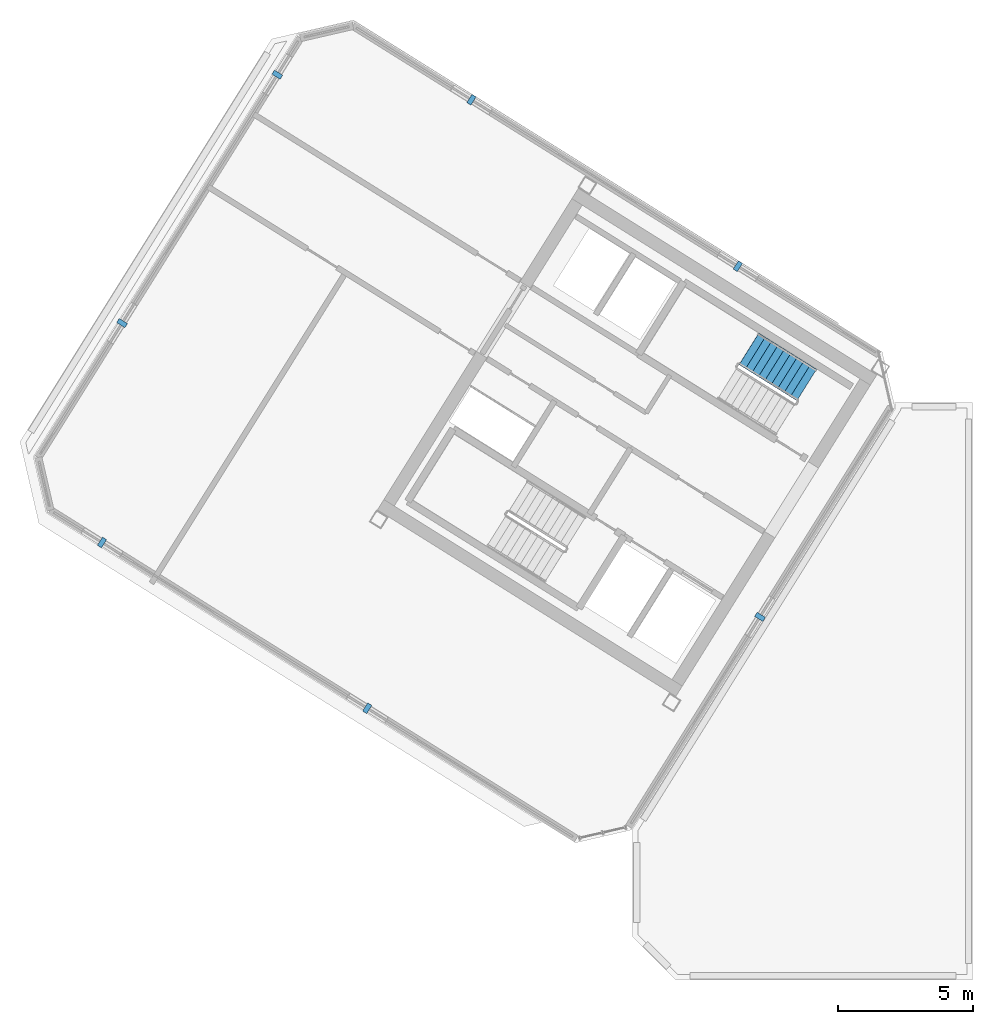
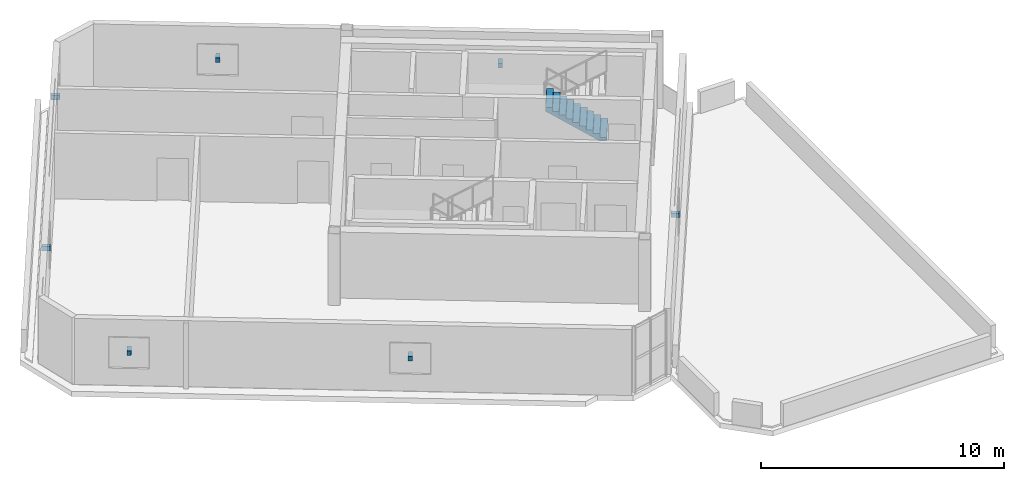
# One storey, part 5 of 8: 7 discrete accessories, 1 stair flight, 1 element without a shape of its own.
"""IFC4 building model written with IfcOpenShell, lengths in metres."""

import ifcopenshell
import ifcopenshell.guid

model = None  # the IFC model being written
_history = None  # IfcOwnerHistory: only IFC2X3 demands one
_inside = {}  # id of a spatial element -> (the spatial element, [elements in it])
_under = {}  # id of a project, library or spatial element -> (it, [spatial elements below it])
_declared = {}  # id of a project -> (the project, [libraries it declares])
_typed = {}  # id of a type object -> (the type object, [elements of that type])
_made_of = {}  # id of a material, layer set ... -> (it, [elements and type objects made of it])


def new_model(schema):
    """Start an empty IFC model of exactly this schema.

    Asked for "IFC4X3", IfcOpenShell would pick the latest addendum, in which some entities
    have other attributes; the version numbers below select the first issue.
    IFC2X3 requires an IfcOwnerHistory on every rooted entity: one is made here for all.
    """
    global model, _history
    if schema == "IFC4X3":
        model = ifcopenshell.file(schema_version=(4, 3, 0, 0))
    else:
        model = ifcopenshell.file(schema=schema)
    _inside.clear()
    _under.clear()
    _declared.clear()
    _typed.clear()
    _made_of.clear()
    _history = None
    if model.schema == "IFC2X3":
        org = make("IfcOrganization", Name="unknown")
        user = make(
            "IfcPersonAndOrganization",
            ThePerson=make("IfcPerson", FamilyName="unknown"),
            TheOrganization=org,
        )
        app = make(
            "IfcApplication",
            ApplicationDeveloper=org,
            Version="unknown",
            ApplicationFullName="unknown",
            ApplicationIdentifier="unknown",
        )
        _history = make(
            "IfcOwnerHistory",
            OwningUser=user,
            OwningApplication=app,
            ChangeAction="ADDED",
            CreationDate=0,
        )
    return model


def make(cls, **values):
    """One entity of the class cls with the attributes given. An attribute that is None is left unset."""
    return model.create_entity(
        cls, **{name: value for name, value in values.items() if value is not None}
    )


def rooted(cls, **values):
    """An entity with a GlobalId (a new one), such as an element, a storey or a relation."""
    return make(cls, GlobalId=ifcopenshell.guid.new(), OwnerHistory=_history, **values)


def si_unit(unit_type, name, prefix=None):
    """IfcSIUnit, for example si_unit("LENGTHUNIT", "METRE", prefix="MILLI")."""
    return make("IfcSIUnit", UnitType=unit_type, Prefix=prefix, Name=name)


def assignment(units):
    """IfcUnitAssignment: the units of a project."""
    return None if units is None else make("IfcUnitAssignment", Units=units)


def point(xyz):
    """IfcCartesianPoint."""
    return None if xyz is None else make("IfcCartesianPoint", Coordinates=xyz)


def direction(xyz):
    """IfcDirection."""
    return None if xyz is None else make("IfcDirection", DirectionRatios=xyz)


def frame(location, z_axis=None, x_axis=None):
    """IfcAxis2Placement3D, a coordinate frame: its origin and axes. An axis left out is left unset."""
    return make(
        "IfcAxis2Placement3D",
        Location=point(location),
        Axis=direction(z_axis),
        RefDirection=direction(x_axis),
    )


def frame_2d(location, x_axis=None):
    """IfcAxis2Placement2D, a coordinate frame in the plane: its origin and x axis."""
    return make(
        "IfcAxis2Placement2D", Location=point(location), RefDirection=direction(x_axis)
    )


def origin():
    """The frame at (0, 0, 0) with its axes left unset."""
    return frame((0.0, 0.0, 0.0))


def origin_2d():
    """The frame at (0, 0) in the plane with its x axis left unset."""
    return frame_2d((0.0, 0.0))


def place(relative_to, where):
    """IfcLocalPlacement: puts the frame where relative to a parent placement (None: the world)."""
    return make(
        "IfcLocalPlacement", PlacementRelTo=relative_to, RelativePlacement=where
    )


def context(
    kind, dimensions, precision=None, world=None, true_north=None, identifier=None
):
    """IfcGeometricRepresentationContext, for example the 3D "Model" context."""
    return make(
        "IfcGeometricRepresentationContext",
        ContextIdentifier=identifier,
        ContextType=kind,
        CoordinateSpaceDimension=dimensions,
        Precision=precision,
        WorldCoordinateSystem=world,
        TrueNorth=true_north,
    )


def subcontext(parent, identifier, kind, view, scale=None):
    """IfcGeometricRepresentationSubContext, for example "Body" below "Model"."""
    return make(
        "IfcGeometricRepresentationSubContext",
        ContextIdentifier=identifier,
        ContextType=kind,
        ParentContext=parent,
        TargetScale=scale,
        TargetView=view,
    )


def project(units=None, contexts=None):
    """IfcProject with its units and contexts."""
    return rooted(
        "IfcProject",
        Name="project",
        RepresentationContexts=contexts,
        UnitsInContext=assignment(units),
    )


def spatial(cls, under=None, at=None, **own):
    """A site, building, storey or space (cls), placed at a placement, below another one or the project."""
    s = rooted(cls, ObjectPlacement=at, **own)
    if under is not None:
        _under.setdefault(under.id(), (under, []))[1].append(s)
    return s


def polyline(points):
    """IfcPolyline through the points."""
    return make("IfcPolyline", Points=[point(p) for p in points])


def profile(cls, at=None, kind="AREA", **sizes):
    """A parametric profile (cls). Its sizes go by their IFC names, for example OverallWidth=200.0."""
    return make(cls, ProfileType=kind, Position=at, **sizes)


def rectangle(**sizes):
    """IfcRectangleProfileDef."""
    return profile("IfcRectangleProfileDef", **sizes)


def outline(outer, holes=None, kind="AREA"):
    """IfcArbitraryClosedProfileDef: a profile drawn as a closed curve; with holes, ...WithVoids."""
    if holes is None:
        return make("IfcArbitraryClosedProfileDef", ProfileType=kind, OuterCurve=outer)
    return make(
        "IfcArbitraryProfileDefWithVoids",
        ProfileType=kind,
        OuterCurve=outer,
        InnerCurves=holes,
    )


def extrude(swept, where, along, depth):
    """IfcExtrudedAreaSolid: the profile swept, set in the frame where, extruded along a direction by depth."""
    return make(
        "IfcExtrudedAreaSolid",
        SweptArea=swept,
        Position=where,
        ExtrudedDirection=direction(along),
        Depth=depth,
    )


def shape(context_of_items, identifier, shape_type, items):
    """IfcShapeRepresentation: the items that make up one representation, for example the "Body"."""
    return make(
        "IfcShapeRepresentation",
        ContextOfItems=context_of_items,
        RepresentationIdentifier=identifier,
        RepresentationType=shape_type,
        Items=items,
    )


def source(mapping_origin, context_of_items, identifier, shape_type, items):
    """IfcRepresentationMap: a shape defined once, which mapped items show again and again."""
    return make(
        "IfcRepresentationMap",
        MappingOrigin=mapping_origin,
        MappedRepresentation=shape(context_of_items, identifier, shape_type, items),
    )


def transform(
    local_origin,
    x_axis=None,
    y_axis=None,
    z_axis=None,
    scale=None,
    scale2=None,
    scale3=None,
    uniform=True,
):
    """IfcCartesianTransformationOperator3D, or its non-uniform kind. x_axis, y_axis, z_axis: its Axis1, 2, 3."""
    if uniform:
        return make(
            "IfcCartesianTransformationOperator3D",
            Axis1=direction(x_axis),
            Axis2=direction(y_axis),
            LocalOrigin=point(local_origin),
            Scale=scale,
            Axis3=direction(z_axis),
        )
    return make(
        "IfcCartesianTransformationOperator3DnonUniform",
        Axis1=direction(x_axis),
        Axis2=direction(y_axis),
        LocalOrigin=point(local_origin),
        Scale=scale,
        Axis3=direction(z_axis),
        Scale2=scale2,
        Scale3=scale3,
    )


def mapped(mapping_source, mapping_target):
    """IfcMappedItem: shows the shape of a source again, moved by a transform."""
    return make(
        "IfcMappedItem", MappingSource=mapping_source, MappingTarget=mapping_target
    )


def material(Name=None, Category=None):
    """IfcMaterial."""
    return make("IfcMaterial", Name=Name, Category=Category)


def made_of(thing, what):
    """Note that an element or type object is made of a material, layer set ...; save() writes the relation."""
    if what is not None:
        _made_of.setdefault(what.id(), (what, []))[1].append(thing)
    return thing


def type_object(cls, material=None, **own):
    """A type object (cls), such as IfcWallType, which elements share."""
    return made_of(rooted(cls, **own), material)


def element(
    cls,
    number,
    at=None,
    inside=None,
    cuts=None,
    type_object=None,
    material=None,
    context=None,
    identifier="Body",
    shape_type=None,
    held_by="IfcProductDefinitionShape",
    body=None,
    shapes=None,
    **own,
):
    """One element of the class cls, such as IfcWall. Its Tag is "e" and its number.

    at: its placement. inside: the storey or other place that contains it. cuts: it is an
    opening in that element (IfcRelVoidsElement). A single representation is given by context,
    identifier, shape_type and body (its items); several are given by shapes. held_by: the class
    of the entity that holds the representations. save() writes the other relations.
    """
    e = rooted(cls, Tag="e%d" % number, ObjectPlacement=at, **own)
    if body is not None:
        shapes = [shape(context, identifier, shape_type, body)]
    if shapes is not None:
        e.Representation = make(held_by, Representations=shapes)
    if inside is not None:
        _inside.setdefault(inside.id(), (inside, []))[1].append(e)
    if cuts is not None:
        rooted(
            "IfcRelVoidsElement", RelatingBuildingElement=cuts, RelatedOpeningElement=e
        )
    if type_object is not None:
        _typed.setdefault(type_object.id(), (type_object, []))[1].append(e)
    return made_of(e, material)


def aggregate(whole, parts):
    """IfcRelAggregates: a whole, such as a stair, and the parts it consists of."""
    return rooted("IfcRelAggregates", RelatingObject=whole, RelatedObjects=parts)


def save(model, path):
    """Write the relations noted so far, then the file.

    IfcRelAggregates (storeys below a building ...), IfcRelContainedInSpatialStructure (elements
    in a storey), IfcRelDefinesByType, IfcRelAssociatesMaterial and IfcRelDeclares: one each for
    every whole, place, type object, material and project.
    """
    for whole, parts in _under.values():
        aggregate(whole, parts)
    for where, things in _inside.values():
        rooted(
            "IfcRelContainedInSpatialStructure",
            RelatedElements=things,
            RelatingStructure=where,
        )
    for kind, things in _typed.values():
        rooted("IfcRelDefinesByType", RelatedObjects=things, RelatingType=kind)
    for what, things in _made_of.values():
        rooted("IfcRelAssociatesMaterial", RelatedObjects=things, RelatingMaterial=what)
    for by, libraries in _declared.values():
        rooted("IfcRelDeclares", RelatingContext=by, RelatedDefinitions=libraries)
    model.write(path)


model = new_model("IFC4")

# Units and contexts
model_context = context("Model", 3, precision=1e-05, world=origin(), true_north=direction((0.0, 1.0)))
body_context = subcontext(model_context, "Body", "Model", "MODEL_VIEW")
ifc_project = project(units=[si_unit("LENGTHUNIT", "METRE"), si_unit("AREAUNIT", "SQUARE_METRE"), si_unit("VOLUMEUNIT", "CUBIC_METRE"), si_unit("PLANEANGLEUNIT", "RADIAN"), si_unit("MASSUNIT", "GRAM", prefix="KILO")], contexts=[model_context])

# Site, building, storey
site_placement = place(None, origin())
site = spatial("IfcSite", under=ifc_project, at=site_placement, CompositionType="ELEMENT")
building_placement = place(site_placement, origin())
building = spatial("IfcBuilding", under=site, at=building_placement, Name="Tlacorven Tower", CompositionType="ELEMENT")
storey_placement = place(building_placement, frame((0.0, 0.0, 298.800048828125)))
storey = spatial("IfcBuildingStorey", under=building, at=storey_placement, Name="L76", CompositionType="ELEMENT", Elevation=298.800048828125)

# Stair, stair flight
ifc_material_1 = material(Name="Concrete C40/50", Category="concrete")
stair_type = type_object("IfcStairType", Name="ST-CORE-DLG", PredefinedType="HALF_TURN_STAIR", material=ifc_material_1)
stair_placement = place(storey_placement, origin())
stair = element("IfcStair", 1, at=stair_placement, inside=storey, type_object=stair_type, Name="L76 Protected Exit Stair West 2", PredefinedType="HALF_TURN_STAIR")
stair_flight_type = type_object("IfcStairFlightType", Name="SFL-RC-1380", PredefinedType="STRAIGHT", material=ifc_material_1)
shared_shape_1 = source(origin(), body_context, "Body", "SweptSolid", [
    extrude(outline(polyline([(-0.0029296875, -0.0029296875), (-0.0029296875, 0.179931640625), (0.280029296875, 0.179931640625), (0.280029296875, 0.360107421875), (0.56005859375, 0.360107421875), (0.56005859375, 0.5400390625), (0.840087890625, 0.5400390625), (0.840087890625, 0.719970703125), (1.1201171875, 0.719970703125), (1.1201171875, 0.89990234375), (1.39990234375, 0.89990234375), (1.39990234375, 1.080078125), (1.679931640625, 1.080078125), (1.679931640625, 1.260009765625), (1.9599609375, 1.260009765625), (1.9599609375, 1.43994140625), (2.239990234375, 1.43994140625), (2.239990234375, 1.6201171875), (2.52001953125, 1.6201171875), (2.52001953125, 1.800048828125), (2.52294921875, 1.800048828125), (2.52294921875, 1.429931640625), (2.52001953125, 1.429931640625), (0.295654296875, 0.0), (0.295654296875, -0.0029296875), (-0.0029296875, -0.0029296875)])), frame((0.0, 0.68994140625, 0.0), z_axis=(0.0, -1.0, 0.0), x_axis=(1.0, 0.0, 0.0)), (0.0, 0.0, 1.0), 1.3798828125),
])
stair_flight_placement = place(storey_placement, frame((38.051513671875, 23.852294921875, 0.0), z_axis=(0.0, 0.0, 1.0), x_axis=(-0.848048096156, 0.529919264233, 0.0)))
stair_flight = element("IfcStairFlight", 2, at=stair_flight_placement, type_object=stair_flight_type, Name="ST-W2 flight 1", NumberOfRisers=10, NumberOfTreads=9, PredefinedType="STRAIGHT", RiserHeight=0.18, TreadLength=0.28, context=body_context, shape_type="MappedRepresentation", body=[
    mapped(shared_shape_1, transform((0.0, 0.0, 0.0), scale=1.0)),
])
aggregate(stair, [stair_flight])

# Discrete accessories
ifc_material_2 = material(Name="Steel S355J2", Category="steel")
discrete_accessory_type = type_object("IfcDiscreteAccessoryType", Name="ACC-BRK-01", PredefinedType="BRACKET", material=ifc_material_2)
shared_shape_2 = source(origin(), body_context, "Body", "SweptSolid", [
    extrude(rectangle(XDim=0.179931640625, YDim=0.360107421875, at=origin_2d()), origin(), (0.0, 0.0, 1.0), 0.219970703125),
])
for number, where, z_axis, x_axis, name in (
    (3, (36.323974609375, 15.256591796875, 1.5400390625), (0.0, 0.0, 1.0), (-0.5299191837, -0.848048146479, 0.0), "L76 Louvre Fixing Bracket 1.1"),
    (4, (21.7666015625, 11.871337890625, 1.5400390625), (0.0, 0.0, 1.0), (-0.848048181088, 0.529919128313, 0.0), "L76 Louvre Fixing Bracket 2.1"),
    (5, (11.93603515625, 18.01416015625, 1.5400390625), (0.0, 0.0, 1.0), (-0.848048181088, 0.529919128313, 0.0), "L76 Louvre Fixing Bracket 2.2"),
    (6, (12.6806640625, 26.14404296875, 1.5400390625), (0.0, 0.0, 1.0), (0.5299191837, 0.848048146479, 0.0), "L76 Louvre Fixing Bracket 4.1"),
    (7, (18.43408203125, 35.35107421875, 1.5400390625), (0.0, 0.0, 1.0), (0.5299191837, 0.848048146479, 0.0), "L76 Louvre Fixing Bracket 4.2"),
    (8, (25.62841796875, 34.42138671875, 1.5400390625), (0.0, 0.0, 1.0), (0.848048181088, -0.529919128313, 0.0), "L76 Louvre Fixing Bracket 6.1"),
    (9, (35.50146484375, 28.252197265625, 1.5400390625), (0.0, 0.0, 1.0), (0.848048181088, -0.529919128313, 0.0), "L76 Louvre Fixing Bracket 6.2"),
):
    element("IfcDiscreteAccessory", number, at=place(storey_placement, frame(where, z_axis=z_axis, x_axis=x_axis)), inside=storey, type_object=discrete_accessory_type, Name=name, PredefinedType="BRACKET", context=body_context, shape_type="MappedRepresentation", body=[
        mapped(shared_shape_2, transform((0.0, 0.0, 0.0), scale=1.0)),
    ])

save(model, "model.ifc")
